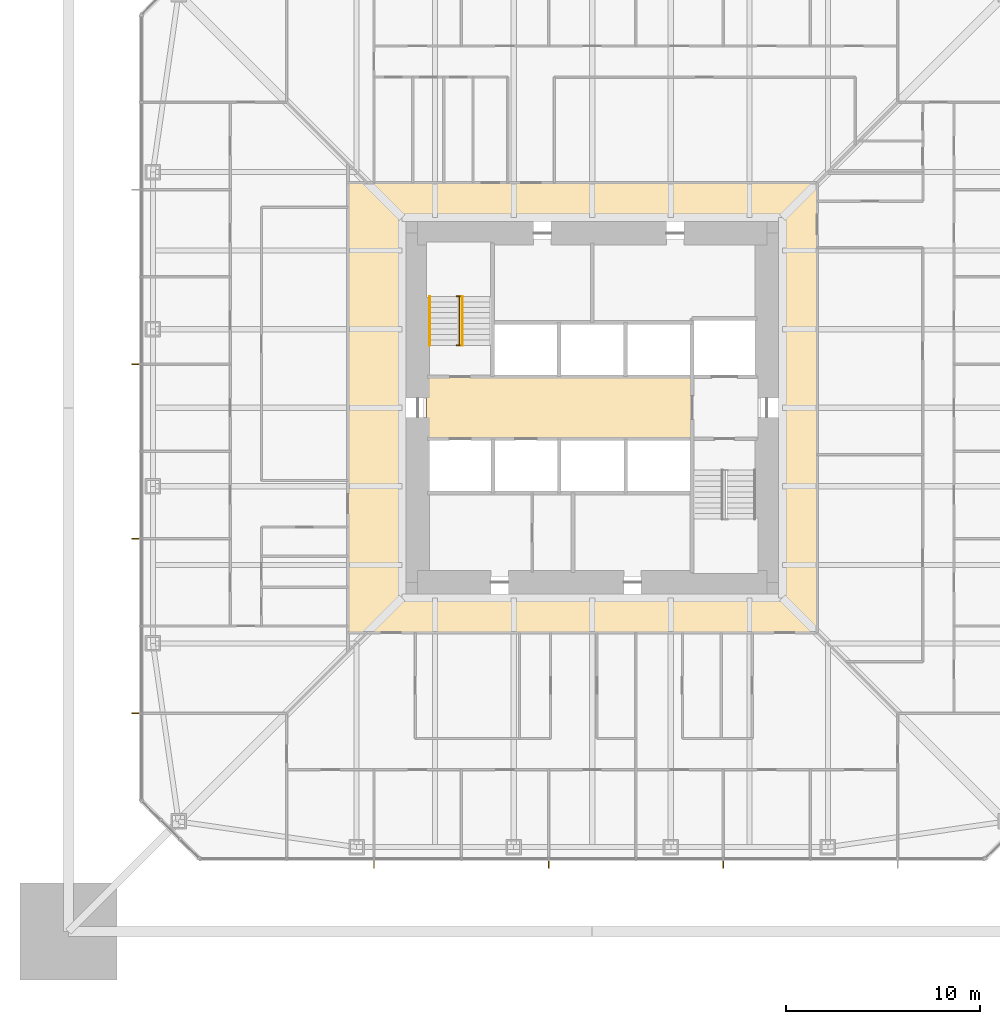
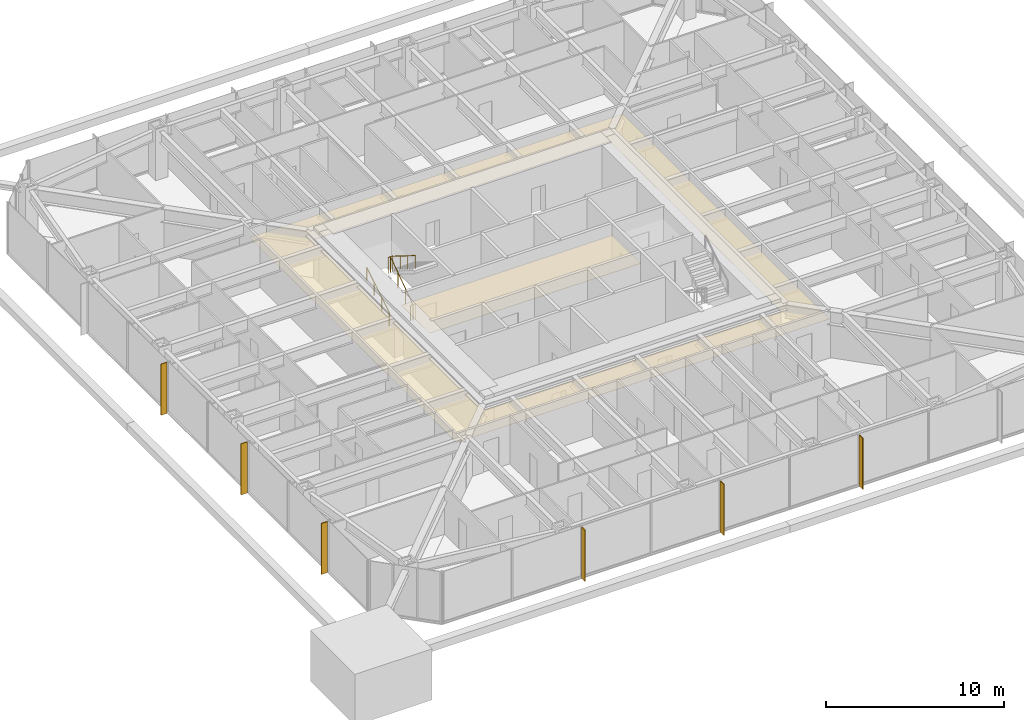
# One storey, part 24 of 27: 6 shading devices, 3 railings, 2 coverings.
"""IFC4 building model written with IfcOpenShell, lengths in metres."""

from ifc_helpers import new_model, si_unit, direction, frame, origin, origin_2d, place, context, subcontext, project, spatial, polyline, rectangle, circle, outline, extrude, material, layer, layer_set, constituent, constituent_set, type_object, element, save


model = new_model("IFC4")

# Units and contexts
model_context = context("Model", 3, precision=1e-05, world=origin(), true_north=direction((0.0, 1.0)))
body_context = subcontext(model_context, "Body", "Model", "MODEL_VIEW")
ifc_project = project(units=[si_unit("LENGTHUNIT", "METRE"), si_unit("AREAUNIT", "SQUARE_METRE"), si_unit("VOLUMEUNIT", "CUBIC_METRE"), si_unit("PLANEANGLEUNIT", "RADIAN"), si_unit("MASSUNIT", "GRAM", prefix="KILO")], contexts=[model_context])

# Site, building, storey
site_placement = place(None, origin())
site = spatial("IfcSite", under=ifc_project, at=site_placement, CompositionType="ELEMENT")
building_placement = place(site_placement, origin())
building = spatial("IfcBuilding", under=site, at=building_placement, Name="Iwan Alto Co-Living Towers", CompositionType="ELEMENT")
storey_placement = place(building_placement, frame((0.0, 0.0, 53.5)))
storey = spatial("IfcBuildingStorey", under=building, at=storey_placement, Name="L14", CompositionType="ELEMENT", Elevation=53.5)

# Covering
ifc_material_1 = material(Name="Mineral fibre acoustic tiles on steel grid", Category="steel")
ifc_layer_1 = layer(ifc_material_1, 0.02001953125)
ifc_layer_set_1 = layer_set([ifc_layer_1], Name="ACOUSTIC TILE CEILING 20")
covering_type_1 = type_object("IfcCoveringType", Name="ACOUSTIC TILE CEILING 20", PredefinedType="CEILING", material=ifc_layer_set_1)
covering_1_placement = place(storey_placement, frame((0.0, 0.0, 2.60009765625)))
element("IfcCovering", 1, at=covering_1_placement, inside=storey, type_object=covering_type_1, Name="Ceiling Lift lobby L14", PredefinedType="CEILING", context=body_context, shape_type="SweptSolid", body=[
    extrude(outline(polyline([(-8.550048828125, -1.60009765625), (-8.550048828125, 1.60009765625), (5.14990234375, 1.60009765625), (5.14990234375, -1.60009765625), (-8.550048828125, -1.60009765625)])), origin(), (0.0, 0.0, 1.0), 0.02001953125),
])

# Shading devices
ifc_material_2 = material(Name="Aluminium 6063-T6 bronze anodised", Category="aluminium")
ifc_layer_2 = layer(ifc_material_2, 0.050048828125)
ifc_layer_set_2 = layer_set([ifc_layer_2], Name="BRONZE FIN 50X400")
shading_device_type = type_object("IfcShadingDeviceType", Name="BRONZE FIN 50X400", PredefinedType="USERDEFINED", material=ifc_layer_set_2)
for number, where, z_axis, x_axis, name in (
    (2, (-11.25, -23.550048828125, 0.0), (0.0, 0.0, 1.0), (1.0, 0.0, 0.0), "Bronze fin L14"),
    (3, (-2.25, -23.550048828125, 0.0), (0.0, 0.0, 1.0), (1.0, 0.0, 0.0), "Bronze fin L14"),
    (4, (6.75, -23.550048828125, 0.0), (0.0, 0.0, 1.0), (1.0, 0.0, 0.0), "Bronze fin L14"),
    (5, (-23.550048828125, 2.25, 0.0), (0.0, 0.0, 1.0), (0.0, -1.0, 0.0), "Bronze fin L14"),
    (6, (-23.550048828125, -6.75, 0.0), (0.0, 0.0, 1.0), (0.0, -1.0, 0.0), "Bronze fin L14"),
    (7, (-23.550048828125, -15.75, 0.0), (0.0, 0.0, 1.0), (0.0, -1.0, 0.0), "Bronze fin L14"),
):
    element("IfcShadingDevice", number, at=place(storey_placement, frame(where, z_axis=z_axis, x_axis=x_axis)), inside=storey, type_object=shading_device_type, Name=name, ObjectType="LOUVER", PredefinedType="USERDEFINED", context=body_context, shape_type="SweptSolid", body=[
        extrude(rectangle(XDim=0.050048828125, YDim=0.39990234375, at=origin_2d()), origin(), (0.0, 0.0, 1.0), 3.5),
    ])

# Railings
ifc_material_3 = material(Name="Steel ASTM A500 Gr C", Category="steel")
ifc_constituent_1 = constituent(ifc_material_3, Name="Rails and posts", Category="Framing")
ifc_material_4 = material(Name="Steel ASTM A36", Category="steel")
ifc_constituent_2 = constituent(ifc_material_4, Name="Bar infill", Category="Infill")
ifc_constituent_set = constituent_set(constituents=[ifc_constituent_1, ifc_constituent_2], Name="STAIR GUARD 1100")
railing_type_1 = type_object("IfcRailingType", Name="STAIR GUARD 1100", PredefinedType="GUARDRAIL", material=ifc_constituent_set)
railing_1_placement = place(storey_placement, frame((-6.85009765625, 3.219970703125, 0.0)))
element("IfcRailing", 8, at=railing_1_placement, inside=storey, type_object=railing_type_1, Name="Stair T1-S1 well guard L14", PredefinedType="GUARDRAIL", context=body_context, shape_type="SweptSolid", body=[
    extrude(circle(Radius=0.02392578125, at=origin_2d()), frame((0.0, 0.0, 1.076171875), z_axis=(0.0, 0.821372036852, 0.570392826987), x_axis=(-1.0, 0.0, 0.0)), (0.0, 0.0, 1.0), 3.068115234375),
    extrude(circle(Radius=0.02392578125, at=origin_2d()), frame((-0.14990234375, 0.0, 1.076171875), z_axis=(1.0, 0.0, 0.0), x_axis=(0.0, 1.0, 0.0)), (0.0, 0.0, 1.0), 0.300048828125),
    extrude(circle(Radius=0.02392578125, at=origin_2d()), frame((-0.14990234375, 2.52001953125, 2.826171875), z_axis=(1.0, 0.0, 0.0), x_axis=(0.0, 1.0, 0.0)), (0.0, 0.0, 1.0), 0.300048828125),
    extrude(circle(Radius=0.02099609375, at=origin_2d()), origin(), (0.0, 0.0, 1.0), 1.052001953125),
    extrude(circle(Radius=0.02099609375, at=origin_2d()), frame((0.0, 0.840087890625, 0.583251953125)), (0.0, 0.0, 1.0), 1.052001953125),
    extrude(circle(Radius=0.02099609375, at=origin_2d()), frame((0.0, 1.679931640625, 1.166748046875)), (0.0, 0.0, 1.0), 1.052001953125),
    extrude(circle(Radius=0.02099609375, at=origin_2d()), frame((0.0, 2.52001953125, 1.75)), (0.0, 0.0, 1.0), 1.052001953125),
    extrude(circle(Radius=0.02099609375, at=origin_2d()), frame((-0.14990234375, 0.0, 0.0)), (0.0, 0.0, 1.0), 1.052001953125),
    extrude(circle(Radius=0.02099609375, at=origin_2d()), frame((0.150146484375, 0.0, 0.0)), (0.0, 0.0, 1.0), 1.052001953125),
    extrude(circle(Radius=0.02099609375, at=origin_2d()), frame((-0.14990234375, 2.52001953125, 1.75)), (0.0, 0.0, 1.0), 1.052001953125),
    extrude(circle(Radius=0.02099609375, at=origin_2d()), frame((0.150146484375, 2.52001953125, 1.75)), (0.0, 0.0, 1.0), 1.052001953125),
])
ifc_material_5 = material(Name="Steel ASTM A500 Gr C", Category="steel")
railing_type_2 = type_object("IfcRailingType", Name="STAIR HANDRAIL 900", PredefinedType="HANDRAIL", material=ifc_material_5)
railing_2_placement = place(storey_placement, frame((-8.3798828125, 3.219970703125, 0.175048828125)))
element("IfcRailing", 9, at=railing_2_placement, inside=storey, type_object=railing_type_2, Name="Stair T1-S1 handrail 1 L14", PredefinedType="HANDRAIL", context=body_context, shape_type="SweptSolid", body=[
    extrude(circle(Radius=0.02392578125, at=origin_2d()), frame((0.0, 0.0, 0.8759765625), z_axis=(0.0, 0.848007534815, 0.529984170421), x_axis=(-1.0, 0.0, 0.0)), (0.0, 0.0, 1.0), 2.9716796875),
    extrude(circle(Radius=0.02099609375, at=origin_2d()), origin(), (0.0, 0.0, 1.0), 0.851806640625),
    extrude(circle(Radius=0.02099609375, at=origin_2d()), frame((0.0, 0.840087890625, 0.52490234375)), (0.0, 0.0, 1.0), 0.851806640625),
    extrude(circle(Radius=0.02099609375, at=origin_2d()), frame((0.0, 1.679931640625, 1.050048828125)), (0.0, 0.0, 1.0), 0.851806640625),
    extrude(circle(Radius=0.02099609375, at=origin_2d()), frame((0.0, 2.52001953125, 1.574951171875)), (0.0, 0.0, 1.0), 0.851806640625),
])
railing_3_placement = place(storey_placement, frame((-6.699951171875, 5.739990234375, 1.925048828125)))
element("IfcRailing", 10, at=railing_3_placement, inside=storey, type_object=railing_type_2, Name="Stair T1-S1 handrail 2 L14", PredefinedType="HANDRAIL", context=body_context, shape_type="SweptSolid", body=[
    extrude(circle(Radius=0.02392578125, at=origin_2d()), frame((0.0, 0.0, 0.8759765625), z_axis=(0.0, -0.848007534815, 0.529984170421), x_axis=(1.0, 0.0, 0.0)), (0.0, 0.0, 1.0), 2.9716796875),
    extrude(circle(Radius=0.02099609375, at=origin_2d()), origin(), (0.0, 0.0, 1.0), 0.851806640625),
    extrude(circle(Radius=0.02099609375, at=origin_2d()), frame((0.0, -0.840087890625, 0.52490234375)), (0.0, 0.0, 1.0), 0.851806640625),
    extrude(circle(Radius=0.02099609375, at=origin_2d()), frame((0.0, -1.679931640625, 1.050048828125)), (0.0, 0.0, 1.0), 0.851806640625),
    extrude(circle(Radius=0.02099609375, at=origin_2d()), frame((0.0, -2.52001953125, 1.574951171875)), (0.0, 0.0, 1.0), 0.851806640625),
])

# Covering
ifc_material_6 = material(Name="Gypsum plasterboard on steel grid", Category="steel")
ifc_layer_3 = layer(ifc_material_6, 0.014892578125)
ifc_layer_set_3 = layer_set([ifc_layer_3], Name="SUSPENDED PLASTERBOARD CEILING 15")
covering_type_2 = type_object("IfcCoveringType", Name="SUSPENDED PLASTERBOARD CEILING 15", PredefinedType="CEILING", material=ifc_layer_set_3)
covering_2_placement = place(storey_placement, frame((0.0, 0.0, 2.60009765625)))
element("IfcCovering", 11, at=covering_2_placement, inside=storey, type_object=covering_type_2, Name="Ceiling Corridor L14", PredefinedType="CEILING", context=body_context, shape_type="SweptSolid", body=[
    extrude(outline(polyline([(-12.60009765625, 11.60009765625), (11.60009765625, 11.60009765625), (11.60009765625, -11.60009765625), (-12.60009765625, -11.60009765625), (-12.60009765625, 11.60009765625)]), holes=[polyline([(-9.60009765625, 9.60009765625), (-9.60009765625, -9.60009765625), (9.60009765625, -9.60009765625), (9.60009765625, 9.60009765625), (-9.60009765625, 9.60009765625)])]), origin(), (0.0, 0.0, 1.0), 0.014892578125),
])

save(model, "model.ifc")
